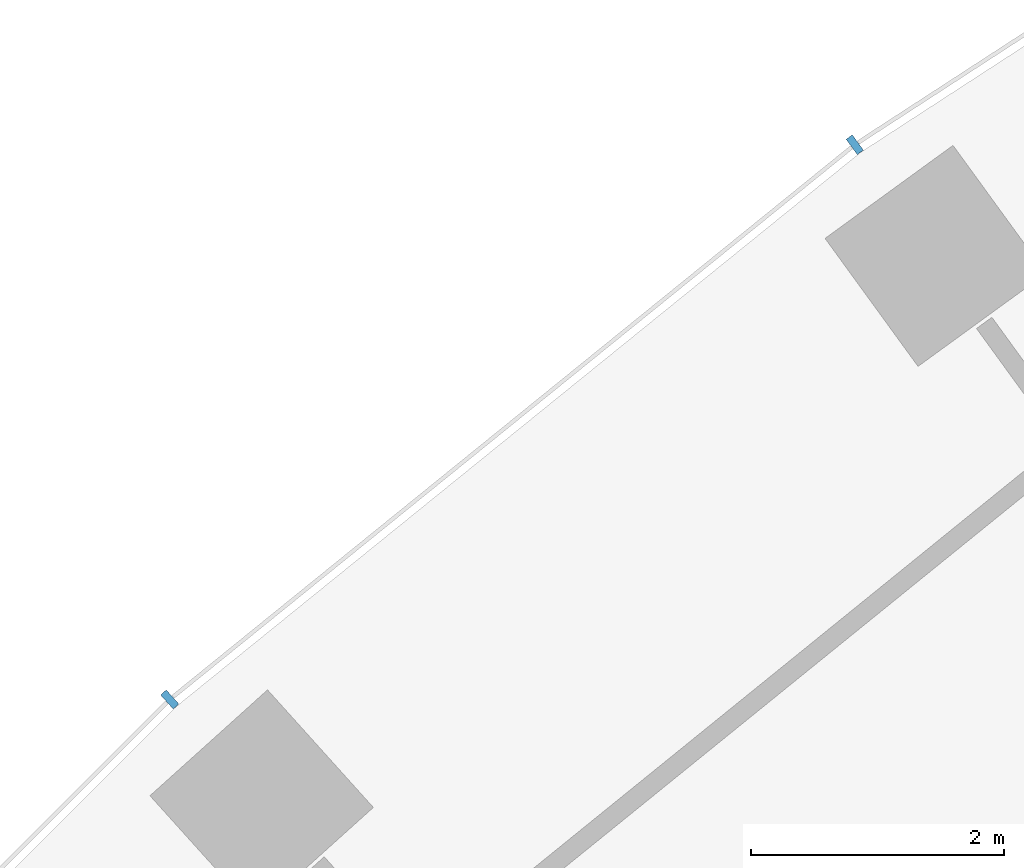
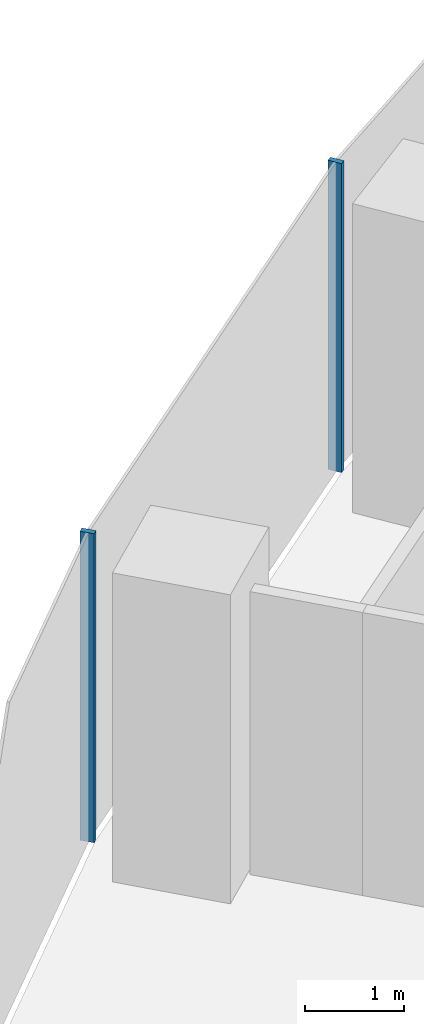
# One storey, part 4 of 21: 2 members, 1 element without a shape of its own.
"""IFC4 building model written with IfcOpenShell, lengths in metres."""

from ifc_helpers import new_model, si_unit, direction, frame, origin, origin_2d, place, context, subcontext, project, spatial, rectangle, extrude, material, layer, layer_set, material_profile, profile_set, type_object, element, aggregate, save


model = new_model("IFC4")

# Units and contexts
model_context = context("Model", 3, precision=1e-05, world=origin(), true_north=direction((0.0, 1.0)))
body_context = subcontext(model_context, "Body", "Model", "MODEL_VIEW")
ifc_project = project(units=[si_unit("LENGTHUNIT", "METRE"), si_unit("AREAUNIT", "SQUARE_METRE"), si_unit("VOLUMEUNIT", "CUBIC_METRE"), si_unit("PLANEANGLEUNIT", "RADIAN"), si_unit("MASSUNIT", "GRAM", prefix="KILO")], contexts=[model_context])

# Site, building, storey
site_placement = place(None, origin())
site = spatial("IfcSite", under=ifc_project, at=site_placement, CompositionType="ELEMENT")
building_placement = place(site_placement, origin())
building = spatial("IfcBuilding", under=site, at=building_placement, Name="Stone Belt Terrace Tower", CompositionType="ELEMENT")
storey_placement = place(building_placement, frame((0.0, 0.0, 37.60009765625)))
storey = spatial("IfcBuildingStorey", under=building, at=storey_placement, Name="L08", CompositionType="ELEMENT", Elevation=37.60009765625)

# Curtain wall, members
ifc_material = material(Name="Aluminium 6063-T6 anodised frame", Category="aluminium")
ifc_layer = layer(ifc_material, 0.14990234375)
ifc_layer_set = layer_set([ifc_layer], Name="CW-A unitised convex-face curtain wall")
curtain_wall_type = type_object("IfcCurtainWallType", Name="CW-A unitised convex-face curtain wall", PredefinedType="NOTDEFINED", material=ifc_layer_set)
curtain_wall_placement = place(storey_placement, origin())
curtain_wall = element("IfcCurtainWall", 1, at=curtain_wall_placement, inside=storey, type_object=curtain_wall_type, Name="CW-A convex face L08", PredefinedType="NOTDEFINED")
ifc_material_profile = material_profile(ifc_material, rectangle(XDim=0.14990234375, YDim=0.06005859375, at=origin_2d()), Name="Aluminium 6063-T6 60x150")
ifc_profile_set = profile_set([ifc_material_profile], Name="Aluminium 6063-T6 anodised frame")
member_type = type_object("IfcMemberType", Name="CW-A mullion 60 x 150", PredefinedType="MULLION", material=ifc_profile_set)
member_1_placement = place(storey_placement, frame((-39.1318359375, 53.8603515625, 0.0), z_axis=(0.0, 0.0, 1.0), x_axis=(0.587785252292, -0.809016994375, 0.0)))
member_1 = element("IfcMember", 2, at=member_1_placement, type_object=member_type, Name="CW-A mullion 16", PredefinedType="MULLION", context=body_context, shape_type="SweptSolid", body=[
    extrude(rectangle(XDim=0.14990234375, YDim=0.06005859375, at=origin_2d()), origin(), (0.0, 0.0, 1.0), 3.7998046875),
])
member_2_placement = place(storey_placement, frame((-44.54736328125, 49.474853515625, 0.0), z_axis=(0.0, 0.0, 1.0), x_axis=(0.669130606359, -0.743144825477, 0.0)))
member_2 = element("IfcMember", 3, at=member_2_placement, type_object=member_type, Name="CW-A mullion 17", PredefinedType="MULLION", context=body_context, shape_type="SweptSolid", body=[
    extrude(rectangle(XDim=0.14990234375, YDim=0.06005859375, at=origin_2d()), origin(), (0.0, 0.0, 1.0), 3.7998046875),
])
aggregate(curtain_wall, [member_1, member_2])

save(model, "model.ifc")
